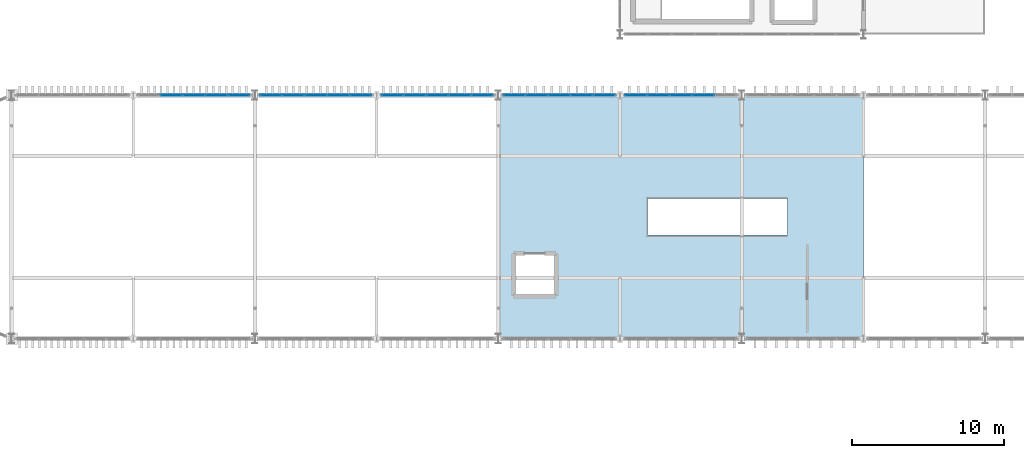
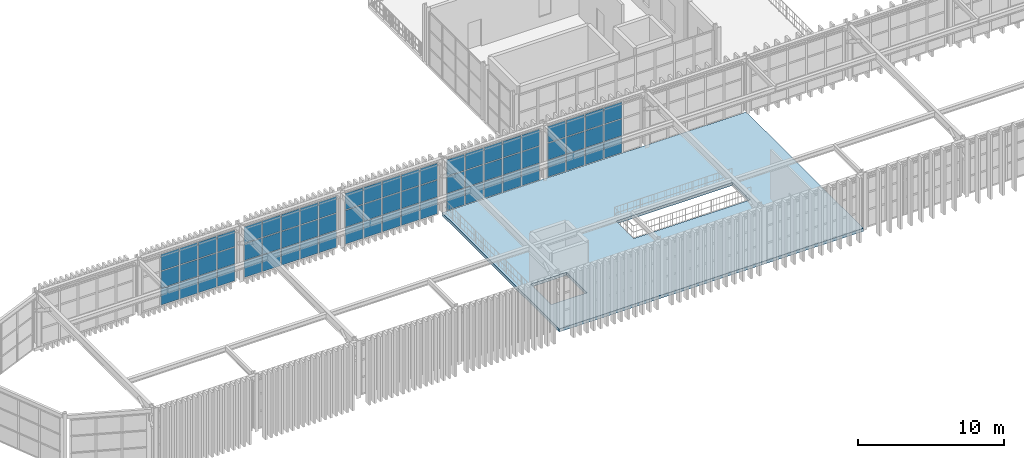
# One storey, part 40 of 61: 69 plates, 1 slab, 5 elements without a shape of their own.
"""IFC4 building model written with IfcOpenShell, lengths in metres."""

from ifc_helpers import new_model, si_unit, direction, frame, origin, origin_2d, place, context, subcontext, project, spatial, polyline, rectangle, outline, extrude, material, layer, layer_set, type_object, element, aggregate, save


model = new_model("IFC4")

# Units and contexts
model_context = context("Model", 3, precision=1e-05, world=origin(), true_north=direction((0.0, 1.0)))
body_context = subcontext(model_context, "Body", "Model", "MODEL_VIEW")
ifc_project = project(units=[si_unit("LENGTHUNIT", "METRE"), si_unit("AREAUNIT", "SQUARE_METRE"), si_unit("VOLUMEUNIT", "CUBIC_METRE"), si_unit("PLANEANGLEUNIT", "RADIAN"), si_unit("MASSUNIT", "GRAM", prefix="KILO")], contexts=[model_context])

# Site, building, storey
site_placement = place(None, origin())
site = spatial("IfcSite", under=ifc_project, at=site_placement, CompositionType="ELEMENT")
building_placement = place(site_placement, origin())
building = spatial("IfcBuilding", under=site, at=building_placement, Name="Serraluz Foothill Cableway Terminal", CompositionType="ELEMENT")
storey_placement = place(building_placement, frame((0.0, 0.0, 15.0)))
storey = spatial("IfcBuildingStorey", under=building, at=storey_placement, Name="L03", CompositionType="ELEMENT", Elevation=15.0)

# Curtain wall, plates
ifc_material_1 = material(Name="Architectural bronze alloy C28000", Category="aluminium")
curtain_wall_type_1 = type_object("IfcCurtainWallType", Name="TYP-CW-680X420", PredefinedType="NOTDEFINED", material=ifc_material_1)
curtain_wall_1_placement = place(storey_placement, origin())
curtain_wall_1 = element("IfcCurtainWall", 1, at=curtain_wall_1_placement, inside=storey, type_object=curtain_wall_type_1, Name="Ribbed Glazed Curtain Wall CW-V1N-L03-48", PredefinedType="NOTDEFINED")
ifc_material_2 = material(Name="Translucent ribbed laminated channel glass", Category="glass")
ifc_layer_1 = layer(ifc_material_2, 0.0419921875, Name="Translucent ribbed laminated channel glass", Category="glass")
ifc_layer_set_1 = layer_set([ifc_layer_1], Name="Translucent ribbed laminated channel glass")
plate_type = type_object("IfcPlateType", Name="TYP-CW-PNL-42", PredefinedType="CURTAIN_PANEL", material=ifc_layer_set_1)
plate_1_placement = place(storey_placement, frame((50.50634765625, 72.0, 0.06005859375), z_axis=(0.0, 0.0, 1.0), x_axis=(1.0, 0.0, 0.0)))
plate_1 = element("IfcPlate", 2, at=plate_1_placement, type_object=plate_type, Name="CW-13 panel 2.1", PredefinedType="CURTAIN_PANEL", context=body_context, shape_type="SweptSolid", body=[
    extrude(rectangle(XDim=1.423095703125, YDim=0.0419921875, at=origin_2d()), origin(), (0.0, 0.0, 1.0), 1.360107421875),
])
plate_2_placement = place(storey_placement, frame((50.50634765625, 72.0, 1.47998046875), z_axis=(0.0, 0.0, 1.0), x_axis=(1.0, 0.0, 0.0)))
plate_2 = element("IfcPlate", 3, at=plate_2_placement, type_object=plate_type, Name="CW-13 panel 2.2", PredefinedType="CURTAIN_PANEL", context=body_context, shape_type="SweptSolid", body=[
    extrude(rectangle(XDim=1.423095703125, YDim=0.0419921875, at=origin_2d()), origin(), (0.0, 0.0, 1.0), 1.389892578125),
])
plate_3_placement = place(storey_placement, frame((50.50634765625, 72.0, 2.93017578125), z_axis=(0.0, 0.0, 1.0), x_axis=(1.0, 0.0, 0.0)))
plate_3 = element("IfcPlate", 4, at=plate_3_placement, type_object=plate_type, Name="CW-13 panel 2.3", PredefinedType="CURTAIN_PANEL", context=body_context, shape_type="SweptSolid", body=[
    extrude(rectangle(XDim=1.423095703125, YDim=0.0419921875, at=origin_2d()), origin(), (0.0, 0.0, 1.0), 1.360107421875),
])
plate_4_placement = place(storey_placement, frame((51.989501953125, 72.0, 0.06005859375), z_axis=(0.0, 0.0, 1.0), x_axis=(1.0, 0.0, 0.0)))
plate_4 = element("IfcPlate", 5, at=plate_4_placement, type_object=plate_type, Name="CW-13 panel 3.1", PredefinedType="CURTAIN_PANEL", context=body_context, shape_type="SweptSolid", body=[
    extrude(rectangle(XDim=1.423095703125, YDim=0.0419921875, at=origin_2d()), origin(), (0.0, 0.0, 1.0), 1.360107421875),
])
plate_5_placement = place(storey_placement, frame((51.989501953125, 72.0, 1.47998046875), z_axis=(0.0, 0.0, 1.0), x_axis=(1.0, 0.0, 0.0)))
plate_5 = element("IfcPlate", 6, at=plate_5_placement, type_object=plate_type, Name="CW-13 panel 3.2", PredefinedType="CURTAIN_PANEL", context=body_context, shape_type="SweptSolid", body=[
    extrude(rectangle(XDim=1.423095703125, YDim=0.0419921875, at=origin_2d()), origin(), (0.0, 0.0, 1.0), 1.389892578125),
])
plate_6_placement = place(storey_placement, frame((51.989501953125, 72.0, 2.93017578125), z_axis=(0.0, 0.0, 1.0), x_axis=(1.0, 0.0, 0.0)))
plate_6 = element("IfcPlate", 7, at=plate_6_placement, type_object=plate_type, Name="CW-13 panel 3.3", PredefinedType="CURTAIN_PANEL", context=body_context, shape_type="SweptSolid", body=[
    extrude(rectangle(XDim=1.423095703125, YDim=0.0419921875, at=origin_2d()), origin(), (0.0, 0.0, 1.0), 1.360107421875),
])
plate_7_placement = place(storey_placement, frame((53.47265625, 72.0, 0.06005859375), z_axis=(0.0, 0.0, 1.0), x_axis=(1.0, 0.0, 0.0)))
plate_7 = element("IfcPlate", 8, at=plate_7_placement, type_object=plate_type, Name="CW-13 panel 4.1", PredefinedType="CURTAIN_PANEL", context=body_context, shape_type="SweptSolid", body=[
    extrude(rectangle(XDim=1.423095703125, YDim=0.0419921875, at=origin_2d()), origin(), (0.0, 0.0, 1.0), 1.360107421875),
])
plate_8_placement = place(storey_placement, frame((53.47265625, 72.0, 1.47998046875), z_axis=(0.0, 0.0, 1.0), x_axis=(1.0, 0.0, 0.0)))
plate_8 = element("IfcPlate", 9, at=plate_8_placement, type_object=plate_type, Name="CW-13 panel 4.2", PredefinedType="CURTAIN_PANEL", context=body_context, shape_type="SweptSolid", body=[
    extrude(rectangle(XDim=1.423095703125, YDim=0.0419921875, at=origin_2d()), origin(), (0.0, 0.0, 1.0), 1.389892578125),
])
plate_9_placement = place(storey_placement, frame((53.47265625, 72.0, 2.93017578125), z_axis=(0.0, 0.0, 1.0), x_axis=(1.0, 0.0, 0.0)))
plate_9 = element("IfcPlate", 10, at=plate_9_placement, type_object=plate_type, Name="CW-13 panel 4.3", PredefinedType="CURTAIN_PANEL", context=body_context, shape_type="SweptSolid", body=[
    extrude(rectangle(XDim=1.423095703125, YDim=0.0419921875, at=origin_2d()), origin(), (0.0, 0.0, 1.0), 1.360107421875),
])
plate_10_placement = place(storey_placement, frame((54.94091796875, 72.0, 0.06005859375), z_axis=(0.0, 0.0, 1.0), x_axis=(1.0, 0.0, 0.0)))
plate_10 = element("IfcPlate", 11, at=plate_10_placement, type_object=plate_type, Name="CW-13 panel 5.1", PredefinedType="CURTAIN_PANEL", context=body_context, shape_type="SweptSolid", body=[
    extrude(rectangle(XDim=1.393310546875, YDim=0.0419921875, at=origin_2d()), origin(), (0.0, 0.0, 1.0), 1.360107421875),
])
plate_11_placement = place(storey_placement, frame((54.94091796875, 72.0, 1.47998046875), z_axis=(0.0, 0.0, 1.0), x_axis=(1.0, 0.0, 0.0)))
plate_11 = element("IfcPlate", 12, at=plate_11_placement, type_object=plate_type, Name="CW-13 panel 5.2", PredefinedType="CURTAIN_PANEL", context=body_context, shape_type="SweptSolid", body=[
    extrude(rectangle(XDim=1.393310546875, YDim=0.0419921875, at=origin_2d()), origin(), (0.0, 0.0, 1.0), 1.389892578125),
])
plate_12_placement = place(storey_placement, frame((54.94091796875, 72.0, 2.93017578125), z_axis=(0.0, 0.0, 1.0), x_axis=(1.0, 0.0, 0.0)))
plate_12 = element("IfcPlate", 13, at=plate_12_placement, type_object=plate_type, Name="CW-13 panel 5.3", PredefinedType="CURTAIN_PANEL", context=body_context, shape_type="SweptSolid", body=[
    extrude(rectangle(XDim=1.393310546875, YDim=0.0419921875, at=origin_2d()), origin(), (0.0, 0.0, 1.0), 1.360107421875),
])
aggregate(curtain_wall_1, [plate_1, plate_2, plate_3, plate_4, plate_5, plate_6, plate_7, plate_8, plate_9, plate_10, plate_11, plate_12])

curtain_wall_type_2 = type_object("IfcCurtainWallType", Name="TYP-CW-480X380", PredefinedType="NOTDEFINED", material=ifc_material_1)
curtain_wall_2_placement = place(storey_placement, origin())
curtain_wall_2 = element("IfcCurtainWall", 14, at=curtain_wall_2_placement, inside=storey, type_object=curtain_wall_type_2, Name="Ribbed Glazed Curtain Wall CW-V1N-L03-56", PredefinedType="NOTDEFINED")
plate_13_placement = place(storey_placement, frame((57.05908203125, 72.0, 0.06005859375), z_axis=(0.0, 0.0, 1.0), x_axis=(1.0, 0.0, 0.0)))
plate_13 = element("IfcPlate", 15, at=plate_13_placement, type_object=plate_type, Name="CW-14 panel 1.1", PredefinedType="CURTAIN_PANEL", context=body_context, shape_type="SweptSolid", body=[
    extrude(rectangle(XDim=1.393310546875, YDim=0.0419921875, at=origin_2d()), origin(), (0.0, 0.0, 1.0), 1.360107421875),
])
plate_14_placement = place(storey_placement, frame((57.05908203125, 72.0, 1.47998046875), z_axis=(0.0, 0.0, 1.0), x_axis=(1.0, 0.0, 0.0)))
plate_14 = element("IfcPlate", 16, at=plate_14_placement, type_object=plate_type, Name="CW-14 panel 1.2", PredefinedType="CURTAIN_PANEL", context=body_context, shape_type="SweptSolid", body=[
    extrude(rectangle(XDim=1.393310546875, YDim=0.0419921875, at=origin_2d()), origin(), (0.0, 0.0, 1.0), 1.389892578125),
])
plate_15_placement = place(storey_placement, frame((57.05908203125, 72.0, 2.93017578125), z_axis=(0.0, 0.0, 1.0), x_axis=(1.0, 0.0, 0.0)))
plate_15 = element("IfcPlate", 17, at=plate_15_placement, type_object=plate_type, Name="CW-14 panel 1.3", PredefinedType="CURTAIN_PANEL", context=body_context, shape_type="SweptSolid", body=[
    extrude(rectangle(XDim=1.393310546875, YDim=0.0419921875, at=origin_2d()), origin(), (0.0, 0.0, 1.0), 1.360107421875),
])
plate_16_placement = place(storey_placement, frame((58.52734375, 72.0, 0.06005859375), z_axis=(0.0, 0.0, 1.0), x_axis=(1.0, 0.0, 0.0)))
plate_16 = element("IfcPlate", 18, at=plate_16_placement, type_object=plate_type, Name="CW-14 panel 2.1", PredefinedType="CURTAIN_PANEL", context=body_context, shape_type="SweptSolid", body=[
    extrude(rectangle(XDim=1.423095703125, YDim=0.0419921875, at=origin_2d()), origin(), (0.0, 0.0, 1.0), 1.360107421875),
])
plate_17_placement = place(storey_placement, frame((58.52734375, 72.0, 1.47998046875), z_axis=(0.0, 0.0, 1.0), x_axis=(1.0, 0.0, 0.0)))
plate_17 = element("IfcPlate", 19, at=plate_17_placement, type_object=plate_type, Name="CW-14 panel 2.2", PredefinedType="CURTAIN_PANEL", context=body_context, shape_type="SweptSolid", body=[
    extrude(rectangle(XDim=1.423095703125, YDim=0.0419921875, at=origin_2d()), origin(), (0.0, 0.0, 1.0), 1.389892578125),
])
plate_18_placement = place(storey_placement, frame((58.52734375, 72.0, 2.93017578125), z_axis=(0.0, 0.0, 1.0), x_axis=(1.0, 0.0, 0.0)))
plate_18 = element("IfcPlate", 20, at=plate_18_placement, type_object=plate_type, Name="CW-14 panel 2.3", PredefinedType="CURTAIN_PANEL", context=body_context, shape_type="SweptSolid", body=[
    extrude(rectangle(XDim=1.423095703125, YDim=0.0419921875, at=origin_2d()), origin(), (0.0, 0.0, 1.0), 1.360107421875),
])
plate_19_placement = place(storey_placement, frame((60.010498046875, 72.0, 0.06005859375), z_axis=(0.0, 0.0, 1.0), x_axis=(1.0, 0.0, 0.0)))
plate_19 = element("IfcPlate", 21, at=plate_19_placement, type_object=plate_type, Name="CW-14 panel 3.1", PredefinedType="CURTAIN_PANEL", context=body_context, shape_type="SweptSolid", body=[
    extrude(rectangle(XDim=1.423095703125, YDim=0.0419921875, at=origin_2d()), origin(), (0.0, 0.0, 1.0), 1.360107421875),
])
plate_20_placement = place(storey_placement, frame((60.010498046875, 72.0, 1.47998046875), z_axis=(0.0, 0.0, 1.0), x_axis=(1.0, 0.0, 0.0)))
plate_20 = element("IfcPlate", 22, at=plate_20_placement, type_object=plate_type, Name="CW-14 panel 3.2", PredefinedType="CURTAIN_PANEL", context=body_context, shape_type="SweptSolid", body=[
    extrude(rectangle(XDim=1.423095703125, YDim=0.0419921875, at=origin_2d()), origin(), (0.0, 0.0, 1.0), 1.389892578125),
])
plate_21_placement = place(storey_placement, frame((60.010498046875, 72.0, 2.93017578125), z_axis=(0.0, 0.0, 1.0), x_axis=(1.0, 0.0, 0.0)))
plate_21 = element("IfcPlate", 23, at=plate_21_placement, type_object=plate_type, Name="CW-14 panel 3.3", PredefinedType="CURTAIN_PANEL", context=body_context, shape_type="SweptSolid", body=[
    extrude(rectangle(XDim=1.423095703125, YDim=0.0419921875, at=origin_2d()), origin(), (0.0, 0.0, 1.0), 1.360107421875),
])
plate_22_placement = place(storey_placement, frame((61.49365234375, 72.0, 0.06005859375), z_axis=(0.0, 0.0, 1.0), x_axis=(1.0, 0.0, 0.0)))
plate_22 = element("IfcPlate", 24, at=plate_22_placement, type_object=plate_type, Name="CW-14 panel 4.1", PredefinedType="CURTAIN_PANEL", context=body_context, shape_type="SweptSolid", body=[
    extrude(rectangle(XDim=1.423095703125, YDim=0.0419921875, at=origin_2d()), origin(), (0.0, 0.0, 1.0), 1.360107421875),
])
plate_23_placement = place(storey_placement, frame((61.49365234375, 72.0, 1.47998046875), z_axis=(0.0, 0.0, 1.0), x_axis=(1.0, 0.0, 0.0)))
plate_23 = element("IfcPlate", 25, at=plate_23_placement, type_object=plate_type, Name="CW-14 panel 4.2", PredefinedType="CURTAIN_PANEL", context=body_context, shape_type="SweptSolid", body=[
    extrude(rectangle(XDim=1.423095703125, YDim=0.0419921875, at=origin_2d()), origin(), (0.0, 0.0, 1.0), 1.389892578125),
])
plate_24_placement = place(storey_placement, frame((61.49365234375, 72.0, 2.93017578125), z_axis=(0.0, 0.0, 1.0), x_axis=(1.0, 0.0, 0.0)))
plate_24 = element("IfcPlate", 26, at=plate_24_placement, type_object=plate_type, Name="CW-14 panel 4.3", PredefinedType="CURTAIN_PANEL", context=body_context, shape_type="SweptSolid", body=[
    extrude(rectangle(XDim=1.423095703125, YDim=0.0419921875, at=origin_2d()), origin(), (0.0, 0.0, 1.0), 1.360107421875),
])
plate_25_placement = place(storey_placement, frame((62.9619140625, 72.0, 0.06005859375), z_axis=(0.0, 0.0, 1.0), x_axis=(1.0, 0.0, 0.0)))
plate_25 = element("IfcPlate", 27, at=plate_25_placement, type_object=plate_type, Name="CW-14 panel 5.1", PredefinedType="CURTAIN_PANEL", context=body_context, shape_type="SweptSolid", body=[
    extrude(rectangle(XDim=1.393310546875, YDim=0.0419921875, at=origin_2d()), origin(), (0.0, 0.0, 1.0), 1.360107421875),
])
plate_26_placement = place(storey_placement, frame((62.9619140625, 72.0, 1.47998046875), z_axis=(0.0, 0.0, 1.0), x_axis=(1.0, 0.0, 0.0)))
plate_26 = element("IfcPlate", 28, at=plate_26_placement, type_object=plate_type, Name="CW-14 panel 5.2", PredefinedType="CURTAIN_PANEL", context=body_context, shape_type="SweptSolid", body=[
    extrude(rectangle(XDim=1.393310546875, YDim=0.0419921875, at=origin_2d()), origin(), (0.0, 0.0, 1.0), 1.389892578125),
])
plate_27_placement = place(storey_placement, frame((62.9619140625, 72.0, 2.93017578125), z_axis=(0.0, 0.0, 1.0), x_axis=(1.0, 0.0, 0.0)))
plate_27 = element("IfcPlate", 29, at=plate_27_placement, type_object=plate_type, Name="CW-14 panel 5.3", PredefinedType="CURTAIN_PANEL", context=body_context, shape_type="SweptSolid", body=[
    extrude(rectangle(XDim=1.393310546875, YDim=0.0419921875, at=origin_2d()), origin(), (0.0, 0.0, 1.0), 1.360107421875),
])
aggregate(curtain_wall_2, [plate_13, plate_14, plate_15, plate_16, plate_17, plate_18, plate_19, plate_20, plate_21, plate_22, plate_23, plate_24, plate_25, plate_26, plate_27])

curtain_wall_type_3 = type_object("IfcCurtainWallType", Name="TYP-CW-480X420", PredefinedType="NOTDEFINED", material=ifc_material_1)
curtain_wall_3_placement = place(storey_placement, origin())
curtain_wall_3 = element("IfcCurtainWall", 30, at=curtain_wall_3_placement, inside=storey, type_object=curtain_wall_type_3, Name="Ribbed Glazed Curtain Wall CW-V1N-L03-64", PredefinedType="NOTDEFINED")
plate_28_placement = place(storey_placement, frame((65.0380859375, 72.0, 0.06005859375), z_axis=(0.0, 0.0, 1.0), x_axis=(1.0, 0.0, 0.0)))
plate_28 = element("IfcPlate", 31, at=plate_28_placement, type_object=plate_type, Name="CW-15 panel 1.1", PredefinedType="CURTAIN_PANEL", context=body_context, shape_type="SweptSolid", body=[
    extrude(rectangle(XDim=1.393310546875, YDim=0.0419921875, at=origin_2d()), origin(), (0.0, 0.0, 1.0), 1.360107421875),
])
plate_29_placement = place(storey_placement, frame((65.0380859375, 72.0, 1.47998046875), z_axis=(0.0, 0.0, 1.0), x_axis=(1.0, 0.0, 0.0)))
plate_29 = element("IfcPlate", 32, at=plate_29_placement, type_object=plate_type, Name="CW-15 panel 1.2", PredefinedType="CURTAIN_PANEL", context=body_context, shape_type="SweptSolid", body=[
    extrude(rectangle(XDim=1.393310546875, YDim=0.0419921875, at=origin_2d()), origin(), (0.0, 0.0, 1.0), 1.389892578125),
])
plate_30_placement = place(storey_placement, frame((65.0380859375, 72.0, 2.93017578125), z_axis=(0.0, 0.0, 1.0), x_axis=(1.0, 0.0, 0.0)))
plate_30 = element("IfcPlate", 33, at=plate_30_placement, type_object=plate_type, Name="CW-15 panel 1.3", PredefinedType="CURTAIN_PANEL", context=body_context, shape_type="SweptSolid", body=[
    extrude(rectangle(XDim=1.393310546875, YDim=0.0419921875, at=origin_2d()), origin(), (0.0, 0.0, 1.0), 1.360107421875),
])
plate_31_placement = place(storey_placement, frame((66.50634765625, 72.0, 0.06005859375), z_axis=(0.0, 0.0, 1.0), x_axis=(1.0, 0.0, 0.0)))
plate_31 = element("IfcPlate", 34, at=plate_31_placement, type_object=plate_type, Name="CW-15 panel 2.1", PredefinedType="CURTAIN_PANEL", context=body_context, shape_type="SweptSolid", body=[
    extrude(rectangle(XDim=1.423095703125, YDim=0.0419921875, at=origin_2d()), origin(), (0.0, 0.0, 1.0), 1.360107421875),
])
plate_32_placement = place(storey_placement, frame((66.50634765625, 72.0, 1.47998046875), z_axis=(0.0, 0.0, 1.0), x_axis=(1.0, 0.0, 0.0)))
plate_32 = element("IfcPlate", 35, at=plate_32_placement, type_object=plate_type, Name="CW-15 panel 2.2", PredefinedType="CURTAIN_PANEL", context=body_context, shape_type="SweptSolid", body=[
    extrude(rectangle(XDim=1.423095703125, YDim=0.0419921875, at=origin_2d()), origin(), (0.0, 0.0, 1.0), 1.389892578125),
])
plate_33_placement = place(storey_placement, frame((66.50634765625, 72.0, 2.93017578125), z_axis=(0.0, 0.0, 1.0), x_axis=(1.0, 0.0, 0.0)))
plate_33 = element("IfcPlate", 36, at=plate_33_placement, type_object=plate_type, Name="CW-15 panel 2.3", PredefinedType="CURTAIN_PANEL", context=body_context, shape_type="SweptSolid", body=[
    extrude(rectangle(XDim=1.423095703125, YDim=0.0419921875, at=origin_2d()), origin(), (0.0, 0.0, 1.0), 1.360107421875),
])
plate_34_placement = place(storey_placement, frame((67.989501953125, 72.0, 0.06005859375), z_axis=(0.0, 0.0, 1.0), x_axis=(1.0, 0.0, 0.0)))
plate_34 = element("IfcPlate", 37, at=plate_34_placement, type_object=plate_type, Name="CW-15 panel 3.1", PredefinedType="CURTAIN_PANEL", context=body_context, shape_type="SweptSolid", body=[
    extrude(rectangle(XDim=1.423095703125, YDim=0.0419921875, at=origin_2d()), origin(), (0.0, 0.0, 1.0), 1.360107421875),
])
plate_35_placement = place(storey_placement, frame((67.989501953125, 72.0, 1.47998046875), z_axis=(0.0, 0.0, 1.0), x_axis=(1.0, 0.0, 0.0)))
plate_35 = element("IfcPlate", 38, at=plate_35_placement, type_object=plate_type, Name="CW-15 panel 3.2", PredefinedType="CURTAIN_PANEL", context=body_context, shape_type="SweptSolid", body=[
    extrude(rectangle(XDim=1.423095703125, YDim=0.0419921875, at=origin_2d()), origin(), (0.0, 0.0, 1.0), 1.389892578125),
])
plate_36_placement = place(storey_placement, frame((67.989501953125, 72.0, 2.93017578125), z_axis=(0.0, 0.0, 1.0), x_axis=(1.0, 0.0, 0.0)))
plate_36 = element("IfcPlate", 39, at=plate_36_placement, type_object=plate_type, Name="CW-15 panel 3.3", PredefinedType="CURTAIN_PANEL", context=body_context, shape_type="SweptSolid", body=[
    extrude(rectangle(XDim=1.423095703125, YDim=0.0419921875, at=origin_2d()), origin(), (0.0, 0.0, 1.0), 1.360107421875),
])
plate_37_placement = place(storey_placement, frame((69.47265625, 72.0, 0.06005859375), z_axis=(0.0, 0.0, 1.0), x_axis=(1.0, 0.0, 0.0)))
plate_37 = element("IfcPlate", 40, at=plate_37_placement, type_object=plate_type, Name="CW-15 panel 4.1", PredefinedType="CURTAIN_PANEL", context=body_context, shape_type="SweptSolid", body=[
    extrude(rectangle(XDim=1.423095703125, YDim=0.0419921875, at=origin_2d()), origin(), (0.0, 0.0, 1.0), 1.360107421875),
])
plate_38_placement = place(storey_placement, frame((69.47265625, 72.0, 1.47998046875), z_axis=(0.0, 0.0, 1.0), x_axis=(1.0, 0.0, 0.0)))
plate_38 = element("IfcPlate", 41, at=plate_38_placement, type_object=plate_type, Name="CW-15 panel 4.2", PredefinedType="CURTAIN_PANEL", context=body_context, shape_type="SweptSolid", body=[
    extrude(rectangle(XDim=1.423095703125, YDim=0.0419921875, at=origin_2d()), origin(), (0.0, 0.0, 1.0), 1.389892578125),
])
plate_39_placement = place(storey_placement, frame((69.47265625, 72.0, 2.93017578125), z_axis=(0.0, 0.0, 1.0), x_axis=(1.0, 0.0, 0.0)))
plate_39 = element("IfcPlate", 42, at=plate_39_placement, type_object=plate_type, Name="CW-15 panel 4.3", PredefinedType="CURTAIN_PANEL", context=body_context, shape_type="SweptSolid", body=[
    extrude(rectangle(XDim=1.423095703125, YDim=0.0419921875, at=origin_2d()), origin(), (0.0, 0.0, 1.0), 1.360107421875),
])
plate_40_placement = place(storey_placement, frame((70.94091796875, 72.0, 0.06005859375), z_axis=(0.0, 0.0, 1.0), x_axis=(1.0, 0.0, 0.0)))
plate_40 = element("IfcPlate", 43, at=plate_40_placement, type_object=plate_type, Name="CW-15 panel 5.1", PredefinedType="CURTAIN_PANEL", context=body_context, shape_type="SweptSolid", body=[
    extrude(rectangle(XDim=1.393310546875, YDim=0.0419921875, at=origin_2d()), origin(), (0.0, 0.0, 1.0), 1.360107421875),
])
plate_41_placement = place(storey_placement, frame((70.94091796875, 72.0, 1.47998046875), z_axis=(0.0, 0.0, 1.0), x_axis=(1.0, 0.0, 0.0)))
plate_41 = element("IfcPlate", 44, at=plate_41_placement, type_object=plate_type, Name="CW-15 panel 5.2", PredefinedType="CURTAIN_PANEL", context=body_context, shape_type="SweptSolid", body=[
    extrude(rectangle(XDim=1.393310546875, YDim=0.0419921875, at=origin_2d()), origin(), (0.0, 0.0, 1.0), 1.389892578125),
])
plate_42_placement = place(storey_placement, frame((70.94091796875, 72.0, 2.93017578125), z_axis=(0.0, 0.0, 1.0), x_axis=(1.0, 0.0, 0.0)))
plate_42 = element("IfcPlate", 45, at=plate_42_placement, type_object=plate_type, Name="CW-15 panel 5.3", PredefinedType="CURTAIN_PANEL", context=body_context, shape_type="SweptSolid", body=[
    extrude(rectangle(XDim=1.393310546875, YDim=0.0419921875, at=origin_2d()), origin(), (0.0, 0.0, 1.0), 1.360107421875),
])
aggregate(curtain_wall_3, [plate_28, plate_29, plate_30, plate_31, plate_32, plate_33, plate_34, plate_35, plate_36, plate_37, plate_38, plate_39, plate_40, plate_41, plate_42])

curtain_wall_type_4 = type_object("IfcCurtainWallType", Name="TYP-CW-440X360", PredefinedType="NOTDEFINED", material=ifc_material_1)
curtain_wall_4_placement = place(storey_placement, origin())
curtain_wall_4 = element("IfcCurtainWall", 46, at=curtain_wall_4_placement, inside=storey, type_object=curtain_wall_type_4, Name="Ribbed Glazed Curtain Wall CW-V1N-L03-72", PredefinedType="NOTDEFINED")
plate_43_placement = place(storey_placement, frame((73.05908203125, 72.0, 0.06005859375), z_axis=(0.0, 0.0, 1.0), x_axis=(1.0, 0.0, 0.0)))
plate_43 = element("IfcPlate", 47, at=plate_43_placement, type_object=plate_type, Name="CW-16 panel 1.1", PredefinedType="CURTAIN_PANEL", context=body_context, shape_type="SweptSolid", body=[
    extrude(rectangle(XDim=1.393310546875, YDim=0.0419921875, at=origin_2d()), origin(), (0.0, 0.0, 1.0), 1.360107421875),
])
plate_44_placement = place(storey_placement, frame((73.05908203125, 72.0, 1.47998046875), z_axis=(0.0, 0.0, 1.0), x_axis=(1.0, 0.0, 0.0)))
plate_44 = element("IfcPlate", 48, at=plate_44_placement, type_object=plate_type, Name="CW-16 panel 1.2", PredefinedType="CURTAIN_PANEL", context=body_context, shape_type="SweptSolid", body=[
    extrude(rectangle(XDim=1.393310546875, YDim=0.0419921875, at=origin_2d()), origin(), (0.0, 0.0, 1.0), 1.389892578125),
])
plate_45_placement = place(storey_placement, frame((73.05908203125, 72.0, 2.93017578125), z_axis=(0.0, 0.0, 1.0), x_axis=(1.0, 0.0, 0.0)))
plate_45 = element("IfcPlate", 49, at=plate_45_placement, type_object=plate_type, Name="CW-16 panel 1.3", PredefinedType="CURTAIN_PANEL", context=body_context, shape_type="SweptSolid", body=[
    extrude(rectangle(XDim=1.393310546875, YDim=0.0419921875, at=origin_2d()), origin(), (0.0, 0.0, 1.0), 1.360107421875),
])
plate_46_placement = place(storey_placement, frame((74.52734375, 72.0, 0.06005859375), z_axis=(0.0, 0.0, 1.0), x_axis=(1.0, 0.0, 0.0)))
plate_46 = element("IfcPlate", 50, at=plate_46_placement, type_object=plate_type, Name="CW-16 panel 2.1", PredefinedType="CURTAIN_PANEL", context=body_context, shape_type="SweptSolid", body=[
    extrude(rectangle(XDim=1.423095703125, YDim=0.0419921875, at=origin_2d()), origin(), (0.0, 0.0, 1.0), 1.360107421875),
])
plate_47_placement = place(storey_placement, frame((74.52734375, 72.0, 1.47998046875), z_axis=(0.0, 0.0, 1.0), x_axis=(1.0, 0.0, 0.0)))
plate_47 = element("IfcPlate", 51, at=plate_47_placement, type_object=plate_type, Name="CW-16 panel 2.2", PredefinedType="CURTAIN_PANEL", context=body_context, shape_type="SweptSolid", body=[
    extrude(rectangle(XDim=1.423095703125, YDim=0.0419921875, at=origin_2d()), origin(), (0.0, 0.0, 1.0), 1.389892578125),
])
plate_48_placement = place(storey_placement, frame((74.52734375, 72.0, 2.93017578125), z_axis=(0.0, 0.0, 1.0), x_axis=(1.0, 0.0, 0.0)))
plate_48 = element("IfcPlate", 52, at=plate_48_placement, type_object=plate_type, Name="CW-16 panel 2.3", PredefinedType="CURTAIN_PANEL", context=body_context, shape_type="SweptSolid", body=[
    extrude(rectangle(XDim=1.423095703125, YDim=0.0419921875, at=origin_2d()), origin(), (0.0, 0.0, 1.0), 1.360107421875),
])
plate_49_placement = place(storey_placement, frame((76.010498046875, 72.0, 0.06005859375), z_axis=(0.0, 0.0, 1.0), x_axis=(1.0, 0.0, 0.0)))
plate_49 = element("IfcPlate", 53, at=plate_49_placement, type_object=plate_type, Name="CW-16 panel 3.1", PredefinedType="CURTAIN_PANEL", context=body_context, shape_type="SweptSolid", body=[
    extrude(rectangle(XDim=1.423095703125, YDim=0.0419921875, at=origin_2d()), origin(), (0.0, 0.0, 1.0), 1.360107421875),
])
plate_50_placement = place(storey_placement, frame((76.010498046875, 72.0, 1.47998046875), z_axis=(0.0, 0.0, 1.0), x_axis=(1.0, 0.0, 0.0)))
plate_50 = element("IfcPlate", 54, at=plate_50_placement, type_object=plate_type, Name="CW-16 panel 3.2", PredefinedType="CURTAIN_PANEL", context=body_context, shape_type="SweptSolid", body=[
    extrude(rectangle(XDim=1.423095703125, YDim=0.0419921875, at=origin_2d()), origin(), (0.0, 0.0, 1.0), 1.389892578125),
])
plate_51_placement = place(storey_placement, frame((76.010498046875, 72.0, 2.93017578125), z_axis=(0.0, 0.0, 1.0), x_axis=(1.0, 0.0, 0.0)))
plate_51 = element("IfcPlate", 55, at=plate_51_placement, type_object=plate_type, Name="CW-16 panel 3.3", PredefinedType="CURTAIN_PANEL", context=body_context, shape_type="SweptSolid", body=[
    extrude(rectangle(XDim=1.423095703125, YDim=0.0419921875, at=origin_2d()), origin(), (0.0, 0.0, 1.0), 1.360107421875),
])
plate_52_placement = place(storey_placement, frame((77.49365234375, 72.0, 0.06005859375), z_axis=(0.0, 0.0, 1.0), x_axis=(1.0, 0.0, 0.0)))
plate_52 = element("IfcPlate", 56, at=plate_52_placement, type_object=plate_type, Name="CW-16 panel 4.1", PredefinedType="CURTAIN_PANEL", context=body_context, shape_type="SweptSolid", body=[
    extrude(rectangle(XDim=1.423095703125, YDim=0.0419921875, at=origin_2d()), origin(), (0.0, 0.0, 1.0), 1.360107421875),
])
plate_53_placement = place(storey_placement, frame((77.49365234375, 72.0, 1.47998046875), z_axis=(0.0, 0.0, 1.0), x_axis=(1.0, 0.0, 0.0)))
plate_53 = element("IfcPlate", 57, at=plate_53_placement, type_object=plate_type, Name="CW-16 panel 4.2", PredefinedType="CURTAIN_PANEL", context=body_context, shape_type="SweptSolid", body=[
    extrude(rectangle(XDim=1.423095703125, YDim=0.0419921875, at=origin_2d()), origin(), (0.0, 0.0, 1.0), 1.389892578125),
])
plate_54_placement = place(storey_placement, frame((77.49365234375, 72.0, 2.93017578125), z_axis=(0.0, 0.0, 1.0), x_axis=(1.0, 0.0, 0.0)))
plate_54 = element("IfcPlate", 58, at=plate_54_placement, type_object=plate_type, Name="CW-16 panel 4.3", PredefinedType="CURTAIN_PANEL", context=body_context, shape_type="SweptSolid", body=[
    extrude(rectangle(XDim=1.423095703125, YDim=0.0419921875, at=origin_2d()), origin(), (0.0, 0.0, 1.0), 1.360107421875),
])
plate_55_placement = place(storey_placement, frame((78.9619140625, 72.0, 0.06005859375), z_axis=(0.0, 0.0, 1.0), x_axis=(1.0, 0.0, 0.0)))
plate_55 = element("IfcPlate", 59, at=plate_55_placement, type_object=plate_type, Name="CW-16 panel 5.1", PredefinedType="CURTAIN_PANEL", context=body_context, shape_type="SweptSolid", body=[
    extrude(rectangle(XDim=1.393310546875, YDim=0.0419921875, at=origin_2d()), origin(), (0.0, 0.0, 1.0), 1.360107421875),
])
plate_56_placement = place(storey_placement, frame((78.9619140625, 72.0, 1.47998046875), z_axis=(0.0, 0.0, 1.0), x_axis=(1.0, 0.0, 0.0)))
plate_56 = element("IfcPlate", 60, at=plate_56_placement, type_object=plate_type, Name="CW-16 panel 5.2", PredefinedType="CURTAIN_PANEL", context=body_context, shape_type="SweptSolid", body=[
    extrude(rectangle(XDim=1.393310546875, YDim=0.0419921875, at=origin_2d()), origin(), (0.0, 0.0, 1.0), 1.389892578125),
])
plate_57_placement = place(storey_placement, frame((78.9619140625, 72.0, 2.93017578125), z_axis=(0.0, 0.0, 1.0), x_axis=(1.0, 0.0, 0.0)))
plate_57 = element("IfcPlate", 61, at=plate_57_placement, type_object=plate_type, Name="CW-16 panel 5.3", PredefinedType="CURTAIN_PANEL", context=body_context, shape_type="SweptSolid", body=[
    extrude(rectangle(XDim=1.393310546875, YDim=0.0419921875, at=origin_2d()), origin(), (0.0, 0.0, 1.0), 1.360107421875),
])
aggregate(curtain_wall_4, [plate_43, plate_44, plate_45, plate_46, plate_47, plate_48, plate_49, plate_50, plate_51, plate_52, plate_53, plate_54, plate_55, plate_56, plate_57])

curtain_wall_type_5 = type_object("IfcCurtainWallType", Name="TYP-CW-380X420", PredefinedType="NOTDEFINED", material=ifc_material_1)
curtain_wall_5_placement = place(storey_placement, origin())
curtain_wall_5 = element("IfcCurtainWall", 62, at=curtain_wall_5_placement, inside=storey, type_object=curtain_wall_type_5, Name="Ribbed Glazed Curtain Wall CW-V1N-L03-80", PredefinedType="NOTDEFINED")
plate_58_placement = place(storey_placement, frame((81.0380859375, 72.0, 0.06005859375), z_axis=(0.0, 0.0, 1.0), x_axis=(1.0, 0.0, 0.0)))
plate_58 = element("IfcPlate", 63, at=plate_58_placement, type_object=plate_type, Name="CW-17 panel 1.1", PredefinedType="CURTAIN_PANEL", context=body_context, shape_type="SweptSolid", body=[
    extrude(rectangle(XDim=1.393310546875, YDim=0.0419921875, at=origin_2d()), origin(), (0.0, 0.0, 1.0), 1.360107421875),
])
plate_59_placement = place(storey_placement, frame((81.0380859375, 72.0, 1.47998046875), z_axis=(0.0, 0.0, 1.0), x_axis=(1.0, 0.0, 0.0)))
plate_59 = element("IfcPlate", 64, at=plate_59_placement, type_object=plate_type, Name="CW-17 panel 1.2", PredefinedType="CURTAIN_PANEL", context=body_context, shape_type="SweptSolid", body=[
    extrude(rectangle(XDim=1.393310546875, YDim=0.0419921875, at=origin_2d()), origin(), (0.0, 0.0, 1.0), 1.389892578125),
])
plate_60_placement = place(storey_placement, frame((81.0380859375, 72.0, 2.93017578125), z_axis=(0.0, 0.0, 1.0), x_axis=(1.0, 0.0, 0.0)))
plate_60 = element("IfcPlate", 65, at=plate_60_placement, type_object=plate_type, Name="CW-17 panel 1.3", PredefinedType="CURTAIN_PANEL", context=body_context, shape_type="SweptSolid", body=[
    extrude(rectangle(XDim=1.393310546875, YDim=0.0419921875, at=origin_2d()), origin(), (0.0, 0.0, 1.0), 1.360107421875),
])
plate_61_placement = place(storey_placement, frame((82.50634765625, 72.0, 0.06005859375), z_axis=(0.0, 0.0, 1.0), x_axis=(1.0, 0.0, 0.0)))
plate_61 = element("IfcPlate", 66, at=plate_61_placement, type_object=plate_type, Name="CW-17 panel 2.1", PredefinedType="CURTAIN_PANEL", context=body_context, shape_type="SweptSolid", body=[
    extrude(rectangle(XDim=1.423095703125, YDim=0.0419921875, at=origin_2d()), origin(), (0.0, 0.0, 1.0), 1.360107421875),
])
plate_62_placement = place(storey_placement, frame((82.50634765625, 72.0, 1.47998046875), z_axis=(0.0, 0.0, 1.0), x_axis=(1.0, 0.0, 0.0)))
plate_62 = element("IfcPlate", 67, at=plate_62_placement, type_object=plate_type, Name="CW-17 panel 2.2", PredefinedType="CURTAIN_PANEL", context=body_context, shape_type="SweptSolid", body=[
    extrude(rectangle(XDim=1.423095703125, YDim=0.0419921875, at=origin_2d()), origin(), (0.0, 0.0, 1.0), 1.389892578125),
])
plate_63_placement = place(storey_placement, frame((82.50634765625, 72.0, 2.93017578125), z_axis=(0.0, 0.0, 1.0), x_axis=(1.0, 0.0, 0.0)))
plate_63 = element("IfcPlate", 68, at=plate_63_placement, type_object=plate_type, Name="CW-17 panel 2.3", PredefinedType="CURTAIN_PANEL", context=body_context, shape_type="SweptSolid", body=[
    extrude(rectangle(XDim=1.423095703125, YDim=0.0419921875, at=origin_2d()), origin(), (0.0, 0.0, 1.0), 1.360107421875),
])
plate_64_placement = place(storey_placement, frame((83.989501953125, 72.0, 0.06005859375), z_axis=(0.0, 0.0, 1.0), x_axis=(1.0, 0.0, 0.0)))
plate_64 = element("IfcPlate", 69, at=plate_64_placement, type_object=plate_type, Name="CW-17 panel 3.1", PredefinedType="CURTAIN_PANEL", context=body_context, shape_type="SweptSolid", body=[
    extrude(rectangle(XDim=1.423095703125, YDim=0.0419921875, at=origin_2d()), origin(), (0.0, 0.0, 1.0), 1.360107421875),
])
plate_65_placement = place(storey_placement, frame((83.989501953125, 72.0, 1.47998046875), z_axis=(0.0, 0.0, 1.0), x_axis=(1.0, 0.0, 0.0)))
plate_65 = element("IfcPlate", 70, at=plate_65_placement, type_object=plate_type, Name="CW-17 panel 3.2", PredefinedType="CURTAIN_PANEL", context=body_context, shape_type="SweptSolid", body=[
    extrude(rectangle(XDim=1.423095703125, YDim=0.0419921875, at=origin_2d()), origin(), (0.0, 0.0, 1.0), 1.389892578125),
])
plate_66_placement = place(storey_placement, frame((83.989501953125, 72.0, 2.93017578125), z_axis=(0.0, 0.0, 1.0), x_axis=(1.0, 0.0, 0.0)))
plate_66 = element("IfcPlate", 71, at=plate_66_placement, type_object=plate_type, Name="CW-17 panel 3.3", PredefinedType="CURTAIN_PANEL", context=body_context, shape_type="SweptSolid", body=[
    extrude(rectangle(XDim=1.423095703125, YDim=0.0419921875, at=origin_2d()), origin(), (0.0, 0.0, 1.0), 1.360107421875),
])
plate_67_placement = place(storey_placement, frame((85.47265625, 72.0, 0.06005859375), z_axis=(0.0, 0.0, 1.0), x_axis=(1.0, 0.0, 0.0)))
plate_67 = element("IfcPlate", 72, at=plate_67_placement, type_object=plate_type, Name="CW-17 panel 4.1", PredefinedType="CURTAIN_PANEL", context=body_context, shape_type="SweptSolid", body=[
    extrude(rectangle(XDim=1.423095703125, YDim=0.0419921875, at=origin_2d()), origin(), (0.0, 0.0, 1.0), 1.360107421875),
])
plate_68_placement = place(storey_placement, frame((85.47265625, 72.0, 1.47998046875), z_axis=(0.0, 0.0, 1.0), x_axis=(1.0, 0.0, 0.0)))
plate_68 = element("IfcPlate", 73, at=plate_68_placement, type_object=plate_type, Name="CW-17 panel 4.2", PredefinedType="CURTAIN_PANEL", context=body_context, shape_type="SweptSolid", body=[
    extrude(rectangle(XDim=1.423095703125, YDim=0.0419921875, at=origin_2d()), origin(), (0.0, 0.0, 1.0), 1.389892578125),
])
plate_69_placement = place(storey_placement, frame((85.47265625, 72.0, 2.93017578125), z_axis=(0.0, 0.0, 1.0), x_axis=(1.0, 0.0, 0.0)))
plate_69 = element("IfcPlate", 74, at=plate_69_placement, type_object=plate_type, Name="CW-17 panel 4.3", PredefinedType="CURTAIN_PANEL", context=body_context, shape_type="SweptSolid", body=[
    extrude(rectangle(XDim=1.423095703125, YDim=0.0419921875, at=origin_2d()), origin(), (0.0, 0.0, 1.0), 1.360107421875),
])
aggregate(curtain_wall_5, [plate_58, plate_59, plate_60, plate_61, plate_62, plate_63, plate_64, plate_65, plate_66, plate_67, plate_68, plate_69])

# Slab
ifc_material_3 = material(Name="Concrete C28/35 (f'c 28 MPa)", Category="concrete")
ifc_layer_2 = layer(ifc_material_3, 0.25, Name="Concrete C28/35 (f'c 28 MPa)", Category="concrete")
ifc_layer_set_2 = layer_set([ifc_layer_2], Name="Concrete C28/35 (f'c 28 MPa)")
slab_type = type_object("IfcSlabType", Name="TYP-SLB-FLR-250", PredefinedType="FLOOR", material=ifc_layer_set_2)
slab_placement = place(storey_placement, frame((0.0, 0.0, -0.25)))
element("IfcSlab", 75, at=slab_placement, inside=storey, type_object=slab_type, Name="Structural Slab SLB-L03-V1", PredefinedType="FLOOR", context=body_context, shape_type="SweptSolid", body=[
    extrude(outline(polyline([(72.0, 56.0), (96.0, 56.0), (96.0, 72.0), (72.0, 72.0), (72.0, 56.0)]), holes=[polyline([(73.0, 58.800048828125), (75.800048828125, 58.800048828125), (75.800048828125, 61.60009765625), (73.0, 61.60009765625), (73.0, 58.800048828125)]), polyline([(81.800048828125, 62.800048828125), (91.0, 62.800048828125), (91.0, 65.199951171875), (81.800048828125, 65.199951171875), (81.800048828125, 62.800048828125)])]), origin(), (0.0, 0.0, 1.0), 0.25),
])

save(model, "model.ifc")
